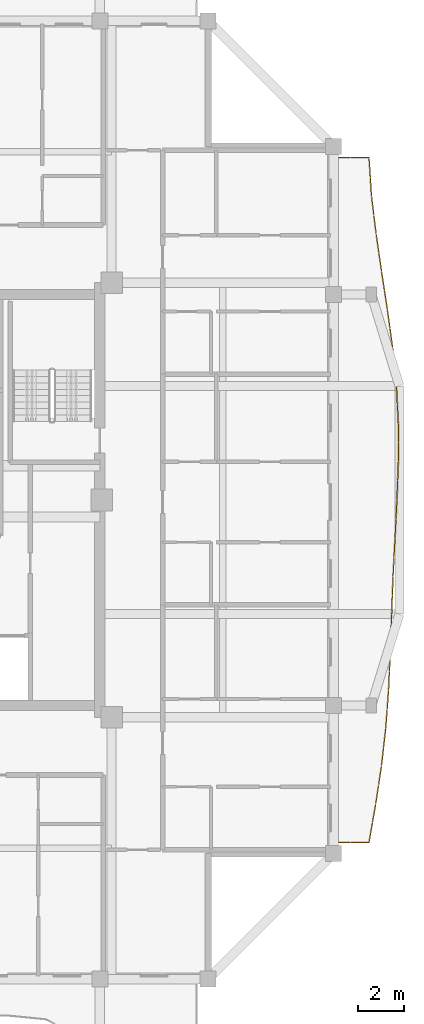
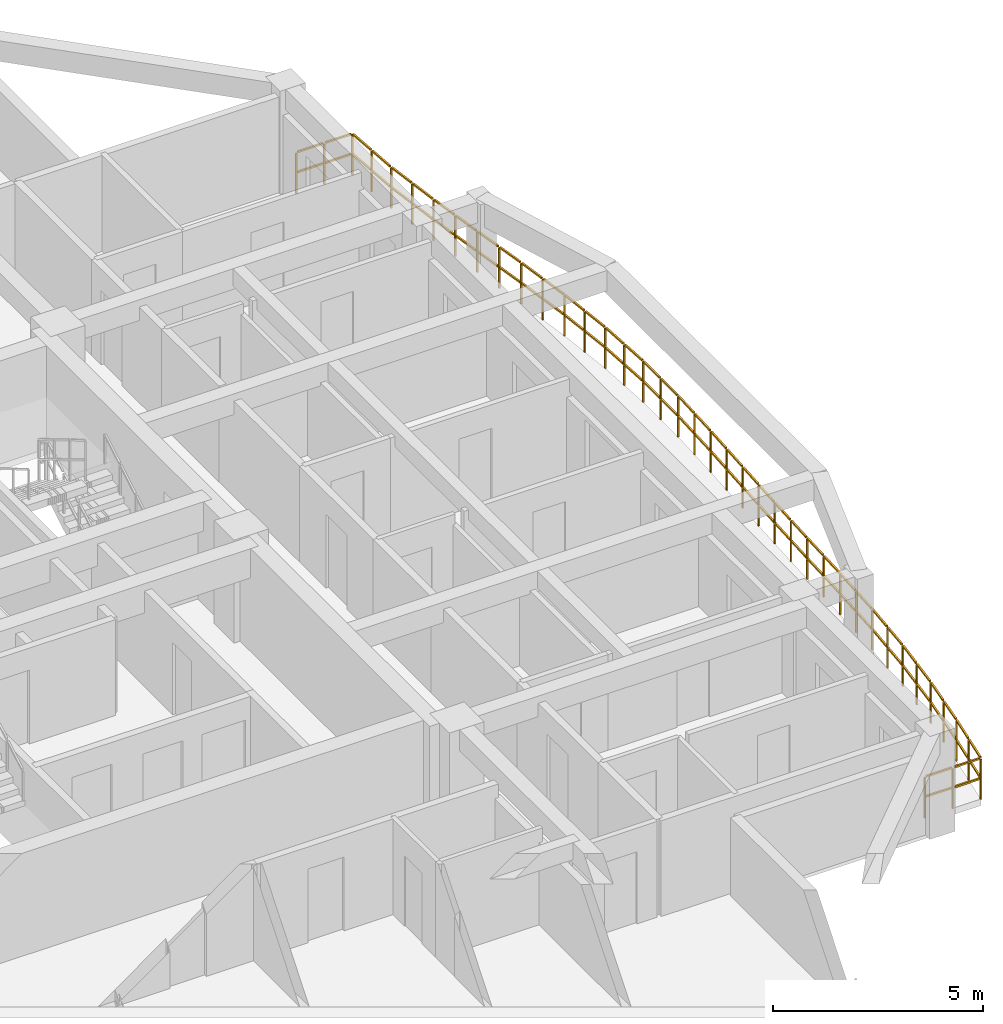
# One storey, part 12 of 13: 1 railing.
"""IFC4 building model written with IfcOpenShell, lengths in metres."""

from ifc_helpers import new_model, si_unit, direction, frame, origin, origin_2d, place, context, subcontext, project, spatial, rectangle, extrude, material, type_object, element, save


model = new_model("IFC4")

# Units and contexts
model_context = context("Model", 3, precision=1e-05, world=origin(), true_north=direction((0.0, 1.0)))
body_context = subcontext(model_context, "Body", "Model", "MODEL_VIEW")
ifc_project = project(units=[si_unit("LENGTHUNIT", "METRE"), si_unit("AREAUNIT", "SQUARE_METRE"), si_unit("VOLUMEUNIT", "CUBIC_METRE"), si_unit("PLANEANGLEUNIT", "RADIAN"), si_unit("MASSUNIT", "GRAM", prefix="KILO")], contexts=[model_context])

# Site, building, storey
site_placement = place(None, origin())
site = spatial("IfcSite", under=ifc_project, at=site_placement, CompositionType="ELEMENT")
building_placement = place(site_placement, origin())
building = spatial("IfcBuilding", under=site, at=building_placement, Name="Saelheon Loggia Tower", CompositionType="ELEMENT")
storey_placement = place(building_placement, frame((0.0, 0.0, 220.199951171875)))
storey = spatial("IfcBuildingStorey", under=building, at=storey_placement, Name="L68", CompositionType="ELEMENT", Elevation=220.199951171875)

# Railing
ifc_material = material(Name="Architectural Precast Concrete and Laminated Glass Guard", Category="concrete")
railing_type = type_object("IfcRailingType", Name="Guard_Loggia_RL_LOG", PredefinedType="BALUSTRADE", material=ifc_material)
railing_placement = place(storey_placement, frame((54.75, 12.0, 0.0)))
element("IfcRailing", 1, at=railing_placement, inside=storey, type_object=railing_type, Name="L68 East Loggia Balustrade", PredefinedType="BALUSTRADE", context=body_context, shape_type="SweptSolid", body=[
    extrude(rectangle(XDim=0.048095703125, YDim=0.048095703125, at=origin_2d()), frame((0.033203125, 0.0, 1.19580078125), z_axis=(1.0, 0.0, 0.0), x_axis=(0.0, 1.0, 0.0)), (0.0, 0.0, 1.0), 0.70849609375),
    extrude(rectangle(XDim=0.048095703125, YDim=0.048095703125, at=origin_2d()), frame((0.033203125, 0.0, 0.60986328125), z_axis=(1.0, 0.0, 0.0), x_axis=(0.0, 1.0, 0.0)), (0.0, 0.0, 1.0), 0.70849609375),
    extrude(rectangle(XDim=0.048095703125, YDim=0.048095703125, at=origin_2d()), frame((0.808349609375, 0.0, 1.19580078125), z_axis=(1.0, 0.0, 0.0), x_axis=(0.0, 1.0, 0.0)), (0.0, 0.0, 1.0), 0.70849609375),
    extrude(rectangle(XDim=0.048095703125, YDim=0.048095703125, at=origin_2d()), frame((0.808349609375, 0.0, 0.60986328125), z_axis=(1.0, 0.0, 0.0), x_axis=(0.0, 1.0, 0.0)), (0.0, 0.0, 1.0), 0.70849609375),
    extrude(rectangle(XDim=0.048095703125, YDim=0.048095703125, at=origin_2d()), frame((1.5556640625, 0.03271484375, 1.19580078125), z_axis=(0.172418830564, 0.985023729088, 0.0), x_axis=(-0.985023729088, 0.172418830564, 0.0)), (0.0, 0.0, 1.0), 0.779541015625),
    extrude(rectangle(XDim=0.048095703125, YDim=0.048095703125, at=origin_2d()), frame((1.5556640625, 0.03271484375, 0.60986328125), z_axis=(0.172418830564, 0.985023729088, 0.0), x_axis=(-0.985023729088, 0.172418830564, 0.0)), (0.0, 0.0, 1.0), 0.779541015625),
    extrude(rectangle(XDim=0.048095703125, YDim=0.048095703125, at=origin_2d()), frame((1.70166015625, 0.8662109375, 1.19580078125), z_axis=(0.172418830564, 0.985023729088, 0.0), x_axis=(-0.985023729088, 0.172418830564, 0.0)), (0.0, 0.0, 1.0), 0.779541015625),
    extrude(rectangle(XDim=0.048095703125, YDim=0.048095703125, at=origin_2d()), frame((1.70166015625, 0.8662109375, 0.60986328125), z_axis=(0.172418830564, 0.985023729088, 0.0), x_axis=(-0.985023729088, 0.172418830564, 0.0)), (0.0, 0.0, 1.0), 0.779541015625),
    extrude(rectangle(XDim=0.048095703125, YDim=0.048095703125, at=origin_2d()), frame((1.8466796875, 1.69970703125, 1.19580078125), z_axis=(0.14991264568, 0.98869924581, 0.0), x_axis=(-0.98869924581, 0.14991264568, 0.0)), (0.0, 0.0, 1.0), 0.7763671875),
    extrude(rectangle(XDim=0.048095703125, YDim=0.048095703125, at=origin_2d()), frame((1.8466796875, 1.69970703125, 0.60986328125), z_axis=(0.14991264568, 0.98869924581, 0.0), x_axis=(-0.98869924581, 0.14991264568, 0.0)), (0.0, 0.0, 1.0), 0.7763671875),
    extrude(rectangle(XDim=0.048095703125, YDim=0.048095703125, at=origin_2d()), frame((1.97314453125, 2.532958984375, 1.19580078125), z_axis=(0.14991264568, 0.98869924581, 0.0), x_axis=(-0.98869924581, 0.14991264568, 0.0)), (0.0, 0.0, 1.0), 0.7763671875),
    extrude(rectangle(XDim=0.048095703125, YDim=0.048095703125, at=origin_2d()), frame((1.97314453125, 2.532958984375, 0.60986328125), z_axis=(0.14991264568, 0.98869924581, 0.0), x_axis=(-0.98869924581, 0.14991264568, 0.0)), (0.0, 0.0, 1.0), 0.7763671875),
    extrude(rectangle(XDim=0.048095703125, YDim=0.048095703125, at=origin_2d()), frame((2.09814453125, 3.3662109375, 1.19580078125), z_axis=(0.112651696568, 0.993634538077, 0.0), x_axis=(-0.993634538077, 0.112651696568, 0.0)), (0.0, 0.0, 1.0), 0.772216796875),
    extrude(rectangle(XDim=0.048095703125, YDim=0.048095703125, at=origin_2d()), frame((2.09814453125, 3.3662109375, 0.60986328125), z_axis=(0.112651696568, 0.993634538077, 0.0), x_axis=(-0.993634538077, 0.112651696568, 0.0)), (0.0, 0.0, 1.0), 0.772216796875),
    extrude(rectangle(XDim=0.048095703125, YDim=0.048095703125, at=origin_2d()), frame((2.192626953125, 4.19970703125, 1.19580078125), z_axis=(0.112651696568, 0.993634538077, 0.0), x_axis=(-0.993634538077, 0.112651696568, 0.0)), (0.0, 0.0, 1.0), 0.772216796875),
    extrude(rectangle(XDim=0.048095703125, YDim=0.048095703125, at=origin_2d()), frame((2.192626953125, 4.19970703125, 0.60986328125), z_axis=(0.112651696568, 0.993634538077, 0.0), x_axis=(-0.993634538077, 0.112651696568, 0.0)), (0.0, 0.0, 1.0), 0.772216796875),
    extrude(rectangle(XDim=0.048095703125, YDim=0.048095703125, at=origin_2d()), frame((2.285888671875, 5.033203125, 1.19580078125), z_axis=(0.073624164853, 0.997286058435, 0.0), x_axis=(-0.997286058435, 0.073624164853, 0.0)), (0.0, 0.0, 1.0), 0.769287109375),
    extrude(rectangle(XDim=0.048095703125, YDim=0.048095703125, at=origin_2d()), frame((2.285888671875, 5.033203125, 0.60986328125), z_axis=(0.073624164853, 0.997286058435, 0.0), x_axis=(-0.997286058435, 0.073624164853, 0.0)), (0.0, 0.0, 1.0), 0.769287109375),
    extrude(rectangle(XDim=0.048095703125, YDim=0.048095703125, at=origin_2d()), frame((2.347412109375, 5.866455078125, 1.19580078125), z_axis=(0.073624164853, 0.997286058435, 0.0), x_axis=(-0.997286058435, 0.073624164853, 0.0)), (0.0, 0.0, 1.0), 0.769287109375),
    extrude(rectangle(XDim=0.048095703125, YDim=0.048095703125, at=origin_2d()), frame((2.347412109375, 5.866455078125, 0.60986328125), z_axis=(0.073624164853, 0.997286058435, 0.0), x_axis=(-0.997286058435, 0.073624164853, 0.0)), (0.0, 0.0, 1.0), 0.769287109375),
    extrude(rectangle(XDim=0.048095703125, YDim=0.048095703125, at=origin_2d()), frame((2.407958984375, 6.699951171875, 1.19580078125), z_axis=(0.045221782057, 0.998976971921, 0.0), x_axis=(-0.998976971921, 0.045221782057, 0.0)), (0.0, 0.0, 1.0), 0.767578125),
    extrude(rectangle(XDim=0.048095703125, YDim=0.048095703125, at=origin_2d()), frame((2.407958984375, 6.699951171875, 0.60986328125), z_axis=(0.045221782057, 0.998976971921, 0.0), x_axis=(-0.998976971921, 0.045221782057, 0.0)), (0.0, 0.0, 1.0), 0.767578125),
    extrude(rectangle(XDim=0.048095703125, YDim=0.048095703125, at=origin_2d()), frame((2.44580078125, 7.533203125, 1.19580078125), z_axis=(0.045221782057, 0.998976971921, 0.0), x_axis=(-0.998976971921, 0.045221782057, 0.0)), (0.0, 0.0, 1.0), 0.767578125),
    extrude(rectangle(XDim=0.048095703125, YDim=0.048095703125, at=origin_2d()), frame((2.44580078125, 7.533203125, 0.60986328125), z_axis=(0.045221782057, 0.998976971921, 0.0), x_axis=(-0.998976971921, 0.045221782057, 0.0)), (0.0, 0.0, 1.0), 0.767578125),
    extrude(rectangle(XDim=0.048095703125, YDim=0.048095703125, at=origin_2d()), frame((2.483154296875, 8.366455078125, 1.19580078125), z_axis=(0.034547988495, 0.999403040065, 0.0), x_axis=(-0.999403040065, 0.034547988495, 0.0)), (0.0, 0.0, 1.0), 0.767333984375),
    extrude(rectangle(XDim=0.048095703125, YDim=0.048095703125, at=origin_2d()), frame((2.483154296875, 8.366455078125, 0.60986328125), z_axis=(0.034547988495, 0.999403040065, 0.0), x_axis=(-0.999403040065, 0.034547988495, 0.0)), (0.0, 0.0, 1.0), 0.767333984375),
    extrude(rectangle(XDim=0.048095703125, YDim=0.048095703125, at=origin_2d()), frame((2.511962890625, 9.199951171875, 1.19580078125), z_axis=(0.034547988495, 0.999403040065, 0.0), x_axis=(-0.999403040065, 0.034547988495, 0.0)), (0.0, 0.0, 1.0), 0.767333984375),
    extrude(rectangle(XDim=0.048095703125, YDim=0.048095703125, at=origin_2d()), frame((2.511962890625, 9.199951171875, 0.60986328125), z_axis=(0.034547988495, 0.999403040065, 0.0), x_axis=(-0.999403040065, 0.034547988495, 0.0)), (0.0, 0.0, 1.0), 0.767333984375),
    extrude(rectangle(XDim=0.048095703125, YDim=0.048095703125, at=origin_2d()), frame((2.540771484375, 10.033203125, 1.19580078125), z_axis=(0.038933399863, 0.99924180776, 0.0), x_axis=(-0.99924180776, 0.038933399863, 0.0)), (0.0, 0.0, 1.0), 0.767578125),
    extrude(rectangle(XDim=0.048095703125, YDim=0.048095703125, at=origin_2d()), frame((2.540771484375, 10.033203125, 0.60986328125), z_axis=(0.038933399863, 0.99924180776, 0.0), x_axis=(-0.99924180776, 0.038933399863, 0.0)), (0.0, 0.0, 1.0), 0.767578125),
    extrude(rectangle(XDim=0.048095703125, YDim=0.048095703125, at=origin_2d()), frame((2.5732421875, 10.86669921875, 1.19580078125), z_axis=(0.038933399863, 0.99924180776, 0.0), x_axis=(-0.99924180776, 0.038933399863, 0.0)), (0.0, 0.0, 1.0), 0.767578125),
    extrude(rectangle(XDim=0.048095703125, YDim=0.048095703125, at=origin_2d()), frame((2.5732421875, 10.86669921875, 0.60986328125), z_axis=(0.038933399863, 0.99924180776, 0.0), x_axis=(-0.99924180776, 0.038933399863, 0.0)), (0.0, 0.0, 1.0), 0.767578125),
    extrude(rectangle(XDim=0.048095703125, YDim=0.048095703125, at=origin_2d()), frame((2.606201171875, 11.699951171875, 1.19580078125), z_axis=(0.048872089831, 0.99880504546, 0.0), x_axis=(-0.99880504546, 0.048872089831, 0.0)), (0.0, 0.0, 1.0), 0.767822265625),
    extrude(rectangle(XDim=0.048095703125, YDim=0.048095703125, at=origin_2d()), frame((2.606201171875, 11.699951171875, 0.60986328125), z_axis=(0.048872089831, 0.99880504546, 0.0), x_axis=(-0.99880504546, 0.048872089831, 0.0)), (0.0, 0.0, 1.0), 0.767822265625),
    extrude(rectangle(XDim=0.048095703125, YDim=0.048095703125, at=origin_2d()), frame((2.64697265625, 12.533203125, 1.19580078125), z_axis=(0.048872089831, 0.99880504546, 0.0), x_axis=(-0.99880504546, 0.048872089831, 0.0)), (0.0, 0.0, 1.0), 0.767822265625),
    extrude(rectangle(XDim=0.048095703125, YDim=0.048095703125, at=origin_2d()), frame((2.64697265625, 12.533203125, 0.60986328125), z_axis=(0.048872089831, 0.99880504546, 0.0), x_axis=(-0.99880504546, 0.048872089831, 0.0)), (0.0, 0.0, 1.0), 0.767822265625),
    extrude(rectangle(XDim=0.048095703125, YDim=0.048095703125, at=origin_2d()), frame((2.687744140625, 13.366455078125, 1.19580078125), z_axis=(0.051053884449, 0.998695900103, 0.0), x_axis=(-0.998695900103, 0.051053884449, 0.0)), (0.0, 0.0, 1.0), 0.76806640625),
    extrude(rectangle(XDim=0.048095703125, YDim=0.048095703125, at=origin_2d()), frame((2.687744140625, 13.366455078125, 0.60986328125), z_axis=(0.051053884449, 0.998695900103, 0.0), x_axis=(-0.998695900103, 0.051053884449, 0.0)), (0.0, 0.0, 1.0), 0.76806640625),
    extrude(rectangle(XDim=0.048095703125, YDim=0.048095703125, at=origin_2d()), frame((2.730224609375, 14.19970703125, 1.19580078125), z_axis=(0.051053884449, 0.998695900103, 0.0), x_axis=(-0.998695900103, 0.051053884449, 0.0)), (0.0, 0.0, 1.0), 0.76806640625),
    extrude(rectangle(XDim=0.048095703125, YDim=0.048095703125, at=origin_2d()), frame((2.730224609375, 14.19970703125, 0.60986328125), z_axis=(0.051053884449, 0.998695900103, 0.0), x_axis=(-0.998695900103, 0.051053884449, 0.0)), (0.0, 0.0, 1.0), 0.76806640625),
    extrude(rectangle(XDim=0.048095703125, YDim=0.048095703125, at=origin_2d()), frame((2.7724609375, 15.033203125, 1.19580078125), z_axis=(0.03586383302, 0.999356685814, 0.0), x_axis=(-0.999356685814, 0.03586383302, 0.0)), (0.0, 0.0, 1.0), 0.767333984375),
    extrude(rectangle(XDim=0.048095703125, YDim=0.048095703125, at=origin_2d()), frame((2.7724609375, 15.033203125, 0.60986328125), z_axis=(0.03586383302, 0.999356685814, 0.0), x_axis=(-0.999356685814, 0.03586383302, 0.0)), (0.0, 0.0, 1.0), 0.767333984375),
    extrude(rectangle(XDim=0.048095703125, YDim=0.048095703125, at=origin_2d()), frame((2.80224609375, 15.86669921875, 1.19580078125), z_axis=(0.03586383302, 0.999356685814, 0.0), x_axis=(-0.999356685814, 0.03586383302, 0.0)), (0.0, 0.0, 1.0), 0.767333984375),
    extrude(rectangle(XDim=0.048095703125, YDim=0.048095703125, at=origin_2d()), frame((2.80224609375, 15.86669921875, 0.60986328125), z_axis=(0.03586383302, 0.999356685814, 0.0), x_axis=(-0.999356685814, 0.03586383302, 0.0)), (0.0, 0.0, 1.0), 0.767333984375),
    extrude(rectangle(XDim=0.048095703125, YDim=0.048095703125, at=origin_2d()), frame((2.8310546875, 16.699951171875, 1.19580078125), z_axis=(0.00029299735, 0.999999957076, 0.0), x_axis=(-0.999999957076, 0.00029299735, 0.0)), (0.0, 0.0, 1.0), 0.766845703125),
    extrude(rectangle(XDim=0.048095703125, YDim=0.048095703125, at=origin_2d()), frame((2.8310546875, 16.699951171875, 0.60986328125), z_axis=(0.00029299735, 0.999999957076, 0.0), x_axis=(-0.999999957076, 0.00029299735, 0.0)), (0.0, 0.0, 1.0), 0.766845703125),
    extrude(rectangle(XDim=0.048095703125, YDim=0.048095703125, at=origin_2d()), frame((2.831298828125, 17.533203125, 1.19580078125), z_axis=(0.00029299735, 0.999999957076, 0.0), x_axis=(-0.999999957076, 0.00029299735, 0.0)), (0.0, 0.0, 1.0), 0.766845703125),
    extrude(rectangle(XDim=0.048095703125, YDim=0.048095703125, at=origin_2d()), frame((2.831298828125, 17.533203125, 0.60986328125), z_axis=(0.00029299735, 0.999999957076, 0.0), x_axis=(-0.999999957076, 0.00029299735, 0.0)), (0.0, 0.0, 1.0), 0.766845703125),
    extrude(rectangle(XDim=0.048095703125, YDim=0.048095703125, at=origin_2d()), frame((2.829833984375, 18.366455078125, 1.19580078125), z_axis=(-0.048864948277, 0.998805394874, 0.0), x_axis=(-0.998805394874, -0.048864948277, 0.0)), (0.0, 0.0, 1.0), 0.767822265625),
    extrude(rectangle(XDim=0.048095703125, YDim=0.048095703125, at=origin_2d()), frame((2.829833984375, 18.366455078125, 0.60986328125), z_axis=(-0.048864948277, 0.998805394874, 0.0), x_axis=(-0.998805394874, -0.048864948277, 0.0)), (0.0, 0.0, 1.0), 0.767822265625),
    extrude(rectangle(XDim=0.048095703125, YDim=0.048095703125, at=origin_2d()), frame((2.7890625, 19.19970703125, 1.19580078125), z_axis=(-0.048864948277, 0.998805394874, 0.0), x_axis=(-0.998805394874, -0.048864948277, 0.0)), (0.0, 0.0, 1.0), 0.767822265625),
    extrude(rectangle(XDim=0.048095703125, YDim=0.048095703125, at=origin_2d()), frame((2.7890625, 19.19970703125, 0.60986328125), z_axis=(-0.048864948277, 0.998805394874, 0.0), x_axis=(-0.998805394874, -0.048864948277, 0.0)), (0.0, 0.0, 1.0), 0.767822265625),
    extrude(rectangle(XDim=0.048095703125, YDim=0.048095703125, at=origin_2d()), frame((2.746826171875, 20.032958984375, 1.19580078125), z_axis=(-0.098681066187, 0.995119112054, 0.0), x_axis=(-0.995119112054, -0.098681066187, 0.0)), (0.0, 0.0, 1.0), 0.77099609375),
    extrude(rectangle(XDim=0.048095703125, YDim=0.048095703125, at=origin_2d()), frame((2.746826171875, 20.032958984375, 0.60986328125), z_axis=(-0.098681066187, 0.995119112054, 0.0), x_axis=(-0.995119112054, -0.098681066187, 0.0)), (0.0, 0.0, 1.0), 0.77099609375),
    extrude(rectangle(XDim=0.048095703125, YDim=0.048095703125, at=origin_2d()), frame((2.6640625, 20.866455078125, 1.19580078125), z_axis=(-0.098681066187, 0.995119112054, 0.0), x_axis=(-0.995119112054, -0.098681066187, 0.0)), (0.0, 0.0, 1.0), 0.77099609375),
    extrude(rectangle(XDim=0.048095703125, YDim=0.048095703125, at=origin_2d()), frame((2.6640625, 20.866455078125, 0.60986328125), z_axis=(-0.098681066187, 0.995119112054, 0.0), x_axis=(-0.995119112054, -0.098681066187, 0.0)), (0.0, 0.0, 1.0), 0.77099609375),
    extrude(rectangle(XDim=0.048095703125, YDim=0.048095703125, at=origin_2d()), frame((2.580322265625, 21.69970703125, 1.19580078125), z_axis=(-0.13556658858, 0.990768237309, 0.0), x_axis=(-0.990768237309, -0.13556658858, 0.0)), (0.0, 0.0, 1.0), 0.774658203125),
    extrude(rectangle(XDim=0.048095703125, YDim=0.048095703125, at=origin_2d()), frame((2.580322265625, 21.69970703125, 0.60986328125), z_axis=(-0.13556658858, 0.990768237309, 0.0), x_axis=(-0.990768237309, -0.13556658858, 0.0)), (0.0, 0.0, 1.0), 0.774658203125),
    extrude(rectangle(XDim=0.048095703125, YDim=0.048095703125, at=origin_2d()), frame((2.46630859375, 22.532958984375, 1.19580078125), z_axis=(-0.13556658858, 0.990768237309, 0.0), x_axis=(-0.990768237309, -0.13556658858, 0.0)), (0.0, 0.0, 1.0), 0.774658203125),
    extrude(rectangle(XDim=0.048095703125, YDim=0.048095703125, at=origin_2d()), frame((2.46630859375, 22.532958984375, 0.60986328125), z_axis=(-0.13556658858, 0.990768237309, 0.0), x_axis=(-0.990768237309, -0.13556658858, 0.0)), (0.0, 0.0, 1.0), 0.774658203125),
    extrude(rectangle(XDim=0.048095703125, YDim=0.048095703125, at=origin_2d()), frame((2.3515625, 23.3662109375, 1.19580078125), z_axis=(-0.15059890797, 0.98859494684, 0.0), x_axis=(-0.98859494684, -0.15059890797, 0.0)), (0.0, 0.0, 1.0), 0.776611328125),
    extrude(rectangle(XDim=0.048095703125, YDim=0.048095703125, at=origin_2d()), frame((2.3515625, 23.3662109375, 0.60986328125), z_axis=(-0.15059890797, 0.98859494684, 0.0), x_axis=(-0.98859494684, -0.15059890797, 0.0)), (0.0, 0.0, 1.0), 0.776611328125),
    extrude(rectangle(XDim=0.048095703125, YDim=0.048095703125, at=origin_2d()), frame((2.224609375, 24.199462890625, 1.19580078125), z_axis=(-0.15059890797, 0.98859494684, 0.0), x_axis=(-0.98859494684, -0.15059890797, 0.0)), (0.0, 0.0, 1.0), 0.776611328125),
    extrude(rectangle(XDim=0.048095703125, YDim=0.048095703125, at=origin_2d()), frame((2.224609375, 24.199462890625, 0.60986328125), z_axis=(-0.15059890797, 0.98859494684, 0.0), x_axis=(-0.98859494684, -0.15059890797, 0.0)), (0.0, 0.0, 1.0), 0.776611328125),
    extrude(rectangle(XDim=0.048095703125, YDim=0.048095703125, at=origin_2d()), frame((2.097900390625, 25.032958984375, 1.19580078125), z_axis=(-0.143369398541, 0.989669245537, 0.0), x_axis=(-0.989669245537, -0.143369398541, 0.0)), (0.0, 0.0, 1.0), 0.775634765625),
    extrude(rectangle(XDim=0.048095703125, YDim=0.048095703125, at=origin_2d()), frame((2.097900390625, 25.032958984375, 0.60986328125), z_axis=(-0.143369398541, 0.989669245537, 0.0), x_axis=(-0.989669245537, -0.143369398541, 0.0)), (0.0, 0.0, 1.0), 0.775634765625),
    extrude(rectangle(XDim=0.048095703125, YDim=0.048095703125, at=origin_2d()), frame((1.977294921875, 25.8662109375, 1.19580078125), z_axis=(-0.143369398541, 0.989669245537, 0.0), x_axis=(-0.989669245537, -0.143369398541, 0.0)), (0.0, 0.0, 1.0), 0.775634765625),
    extrude(rectangle(XDim=0.048095703125, YDim=0.048095703125, at=origin_2d()), frame((1.977294921875, 25.8662109375, 0.60986328125), z_axis=(-0.143369398541, 0.989669245537, 0.0), x_axis=(-0.989669245537, -0.143369398541, 0.0)), (0.0, 0.0, 1.0), 0.775634765625),
    extrude(rectangle(XDim=0.048095703125, YDim=0.048095703125, at=origin_2d()), frame((1.857177734375, 26.69970703125, 1.19580078125), z_axis=(-0.121564580478, 0.992583524331, 0.0), x_axis=(-0.992583524331, -0.121564580478, 0.0)), (0.0, 0.0, 1.0), 0.77294921875),
    extrude(rectangle(XDim=0.048095703125, YDim=0.048095703125, at=origin_2d()), frame((1.857177734375, 26.69970703125, 0.60986328125), z_axis=(-0.121564580478, 0.992583524331, 0.0), x_axis=(-0.992583524331, -0.121564580478, 0.0)), (0.0, 0.0, 1.0), 0.77294921875),
    extrude(rectangle(XDim=0.048095703125, YDim=0.048095703125, at=origin_2d()), frame((1.755126953125, 27.532958984375, 1.19580078125), z_axis=(-0.121564580478, 0.992583524331, 0.0), x_axis=(-0.992583524331, -0.121564580478, 0.0)), (0.0, 0.0, 1.0), 0.77294921875),
    extrude(rectangle(XDim=0.048095703125, YDim=0.048095703125, at=origin_2d()), frame((1.755126953125, 27.532958984375, 0.60986328125), z_axis=(-0.121564580478, 0.992583524331, 0.0), x_axis=(-0.992583524331, -0.121564580478, 0.0)), (0.0, 0.0, 1.0), 0.77294921875),
    extrude(rectangle(XDim=0.048095703125, YDim=0.048095703125, at=origin_2d()), frame((1.655029296875, 28.366455078125, 1.19580078125), z_axis=(-0.064170966116, 0.997938919528, 0.0), x_axis=(-0.997938919528, -0.064170966116, 0.0)), (0.0, 0.0, 1.0), 0.7685546875),
    extrude(rectangle(XDim=0.048095703125, YDim=0.048095703125, at=origin_2d()), frame((1.655029296875, 28.366455078125, 0.60986328125), z_axis=(-0.064170966116, 0.997938919528, 0.0), x_axis=(-0.997938919528, -0.064170966116, 0.0)), (0.0, 0.0, 1.0), 0.7685546875),
    extrude(rectangle(XDim=0.048095703125, YDim=0.048095703125, at=origin_2d()), frame((1.6015625, 29.19970703125, 1.19580078125), z_axis=(-0.064170966116, 0.997938919528, 0.0), x_axis=(-0.997938919528, -0.064170966116, 0.0)), (0.0, 0.0, 1.0), 0.7685546875),
    extrude(rectangle(XDim=0.048095703125, YDim=0.048095703125, at=origin_2d()), frame((1.6015625, 29.19970703125, 0.60986328125), z_axis=(-0.064170966116, 0.997938919528, 0.0), x_axis=(-0.997938919528, -0.064170966116, 0.0)), (0.0, 0.0, 1.0), 0.7685546875),
    extrude(rectangle(XDim=0.048095703125, YDim=0.048095703125, at=origin_2d()), frame((1.516845703125, 30.0, 1.19580078125), z_axis=(-1.0, 0.0, 0.0), x_axis=(0.0, -1.0, 0.0)), (0.0, 0.0, 1.0), 0.70849609375),
    extrude(rectangle(XDim=0.048095703125, YDim=0.048095703125, at=origin_2d()), frame((1.516845703125, 30.0, 0.60986328125), z_axis=(-1.0, 0.0, 0.0), x_axis=(0.0, -1.0, 0.0)), (0.0, 0.0, 1.0), 0.70849609375),
    extrude(rectangle(XDim=0.048095703125, YDim=0.048095703125, at=origin_2d()), frame((0.74169921875, 30.0, 1.19580078125), z_axis=(-1.0, 0.0, 0.0), x_axis=(0.0, -1.0, 0.0)), (0.0, 0.0, 1.0), 0.70849609375),
    extrude(rectangle(XDim=0.048095703125, YDim=0.048095703125, at=origin_2d()), frame((0.74169921875, 30.0, 0.60986328125), z_axis=(-1.0, 0.0, 0.0), x_axis=(0.0, -1.0, 0.0)), (0.0, 0.0, 1.0), 0.70849609375),
    extrude(rectangle(XDim=0.0419921875, YDim=0.0419921875, at=origin_2d()), origin(), (0.0, 0.0, 1.0), 1.16796875),
    extrude(rectangle(XDim=0.0419921875, YDim=0.0419921875, at=origin_2d()), frame((0.77490234375, 0.0, 0.0)), (0.0, 0.0, 1.0), 1.16796875),
    extrude(rectangle(XDim=0.0419921875, YDim=0.0419921875, at=origin_2d()), frame((1.550048828125, 0.0, 0.0)), (0.0, 0.0, 1.0), 1.16796875),
    extrude(rectangle(XDim=0.0419921875, YDim=0.0419921875, at=origin_2d()), frame((1.69580078125, 0.83349609375, 0.0)), (0.0, 0.0, 1.0), 1.16796875),
    extrude(rectangle(XDim=0.0419921875, YDim=0.0419921875, at=origin_2d()), frame((1.841796875, 1.666748046875, 0.0)), (0.0, 0.0, 1.0), 1.16796875),
    extrude(rectangle(XDim=0.0419921875, YDim=0.0419921875, at=origin_2d()), frame((1.96826171875, 2.5, 0.0)), (0.0, 0.0, 1.0), 1.16796875),
    extrude(rectangle(XDim=0.0419921875, YDim=0.0419921875, at=origin_2d()), frame((2.094482421875, 3.333251953125, 0.0)), (0.0, 0.0, 1.0), 1.16796875),
    extrude(rectangle(XDim=0.0419921875, YDim=0.0419921875, at=origin_2d()), frame((2.18896484375, 4.16650390625, 0.0)), (0.0, 0.0, 1.0), 1.16796875),
    extrude(rectangle(XDim=0.0419921875, YDim=0.0419921875, at=origin_2d()), frame((2.283447265625, 5.0, 0.0)), (0.0, 0.0, 1.0), 1.16796875),
    extrude(rectangle(XDim=0.0419921875, YDim=0.0419921875, at=origin_2d()), frame((2.344970703125, 5.83349609375, 0.0)), (0.0, 0.0, 1.0), 1.16796875),
    extrude(rectangle(XDim=0.0419921875, YDim=0.0419921875, at=origin_2d()), frame((2.406494140625, 6.666748046875, 0.0)), (0.0, 0.0, 1.0), 1.16796875),
    extrude(rectangle(XDim=0.0419921875, YDim=0.0419921875, at=origin_2d()), frame((2.4443359375, 7.5, 0.0)), (0.0, 0.0, 1.0), 1.16796875),
    extrude(rectangle(XDim=0.0419921875, YDim=0.0419921875, at=origin_2d()), frame((2.48193359375, 8.333251953125, 0.0)), (0.0, 0.0, 1.0), 1.16796875),
    extrude(rectangle(XDim=0.0419921875, YDim=0.0419921875, at=origin_2d()), frame((2.5107421875, 9.16650390625, 0.0)), (0.0, 0.0, 1.0), 1.16796875),
    extrude(rectangle(XDim=0.0419921875, YDim=0.0419921875, at=origin_2d()), frame((2.53955078125, 10.0, 0.0)), (0.0, 0.0, 1.0), 1.16796875),
    extrude(rectangle(XDim=0.0419921875, YDim=0.0419921875, at=origin_2d()), frame((2.572021484375, 10.83349609375, 0.0)), (0.0, 0.0, 1.0), 1.16796875),
    extrude(rectangle(XDim=0.0419921875, YDim=0.0419921875, at=origin_2d()), frame((2.6044921875, 11.666748046875, 0.0)), (0.0, 0.0, 1.0), 1.16796875),
    extrude(rectangle(XDim=0.0419921875, YDim=0.0419921875, at=origin_2d()), frame((2.645263671875, 12.5, 0.0)), (0.0, 0.0, 1.0), 1.16796875),
    extrude(rectangle(XDim=0.0419921875, YDim=0.0419921875, at=origin_2d()), frame((2.68603515625, 13.333251953125, 0.0)), (0.0, 0.0, 1.0), 1.16796875),
    extrude(rectangle(XDim=0.0419921875, YDim=0.0419921875, at=origin_2d()), frame((2.728515625, 14.16650390625, 0.0)), (0.0, 0.0, 1.0), 1.16796875),
    extrude(rectangle(XDim=0.0419921875, YDim=0.0419921875, at=origin_2d()), frame((2.771240234375, 15.0, 0.0)), (0.0, 0.0, 1.0), 1.16796875),
    extrude(rectangle(XDim=0.0419921875, YDim=0.0419921875, at=origin_2d()), frame((2.80126953125, 15.83349609375, 0.0)), (0.0, 0.0, 1.0), 1.16796875),
    extrude(rectangle(XDim=0.0419921875, YDim=0.0419921875, at=origin_2d()), frame((2.8310546875, 16.666748046875, 0.0)), (0.0, 0.0, 1.0), 1.16796875),
    extrude(rectangle(XDim=0.0419921875, YDim=0.0419921875, at=origin_2d()), frame((2.831298828125, 17.5, 0.0)), (0.0, 0.0, 1.0), 1.16796875),
    extrude(rectangle(XDim=0.0419921875, YDim=0.0419921875, at=origin_2d()), frame((2.83154296875, 18.333251953125, 0.0)), (0.0, 0.0, 1.0), 1.16796875),
    extrude(rectangle(XDim=0.0419921875, YDim=0.0419921875, at=origin_2d()), frame((2.790771484375, 19.16650390625, 0.0)), (0.0, 0.0, 1.0), 1.16796875),
    extrude(rectangle(XDim=0.0419921875, YDim=0.0419921875, at=origin_2d()), frame((2.75, 20.0, 0.0)), (0.0, 0.0, 1.0), 1.16796875),
    extrude(rectangle(XDim=0.0419921875, YDim=0.0419921875, at=origin_2d()), frame((2.66748046875, 20.83349609375, 0.0)), (0.0, 0.0, 1.0), 1.16796875),
    extrude(rectangle(XDim=0.0419921875, YDim=0.0419921875, at=origin_2d()), frame((2.584716796875, 21.666748046875, 0.0)), (0.0, 0.0, 1.0), 1.16796875),
    extrude(rectangle(XDim=0.0419921875, YDim=0.0419921875, at=origin_2d()), frame((2.470703125, 22.5, 0.0)), (0.0, 0.0, 1.0), 1.16796875),
    extrude(rectangle(XDim=0.0419921875, YDim=0.0419921875, at=origin_2d()), frame((2.356689453125, 23.333251953125, 0.0)), (0.0, 0.0, 1.0), 1.16796875),
    extrude(rectangle(XDim=0.0419921875, YDim=0.0419921875, at=origin_2d()), frame((2.229736328125, 24.16650390625, 0.0)), (0.0, 0.0, 1.0), 1.16796875),
    extrude(rectangle(XDim=0.0419921875, YDim=0.0419921875, at=origin_2d()), frame((2.102783203125, 25.0, 0.0)), (0.0, 0.0, 1.0), 1.16796875),
    extrude(rectangle(XDim=0.0419921875, YDim=0.0419921875, at=origin_2d()), frame((1.98193359375, 25.83349609375, 0.0)), (0.0, 0.0, 1.0), 1.16796875),
    extrude(rectangle(XDim=0.0419921875, YDim=0.0419921875, at=origin_2d()), frame((1.861328125, 26.666748046875, 0.0)), (0.0, 0.0, 1.0), 1.16796875),
    extrude(rectangle(XDim=0.0419921875, YDim=0.0419921875, at=origin_2d()), frame((1.75927734375, 27.5, 0.0)), (0.0, 0.0, 1.0), 1.16796875),
    extrude(rectangle(XDim=0.0419921875, YDim=0.0419921875, at=origin_2d()), frame((1.6572265625, 28.333251953125, 0.0)), (0.0, 0.0, 1.0), 1.16796875),
    extrude(rectangle(XDim=0.0419921875, YDim=0.0419921875, at=origin_2d()), frame((1.603515625, 29.16650390625, 0.0)), (0.0, 0.0, 1.0), 1.16796875),
    extrude(rectangle(XDim=0.0419921875, YDim=0.0419921875, at=origin_2d()), frame((1.550048828125, 30.0, 0.0)), (0.0, 0.0, 1.0), 1.16796875),
    extrude(rectangle(XDim=0.0419921875, YDim=0.0419921875, at=origin_2d()), frame((0.77490234375, 30.0, 0.0)), (0.0, 0.0, 1.0), 1.16796875),
    extrude(rectangle(XDim=0.0419921875, YDim=0.0419921875, at=origin_2d()), frame((0.0, 30.0, 0.0)), (0.0, 0.0, 1.0), 1.16796875),
])

save(model, "model.ifc")
